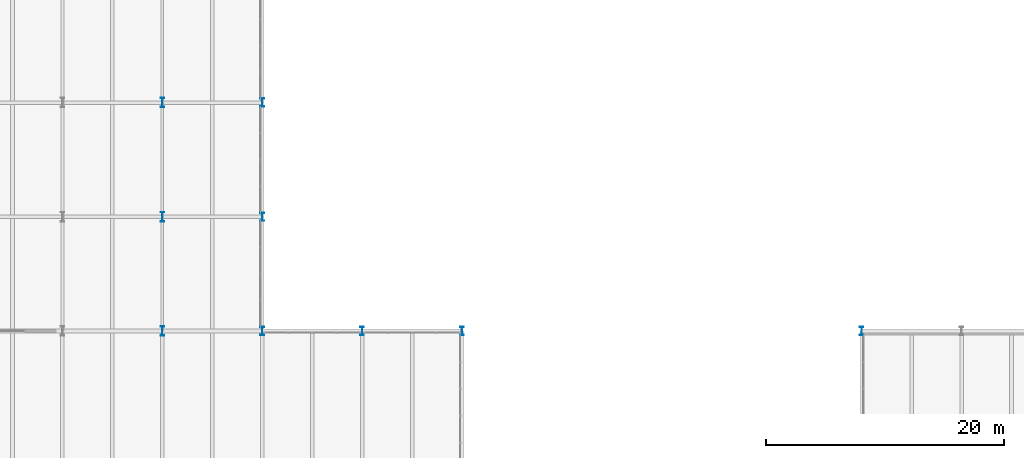
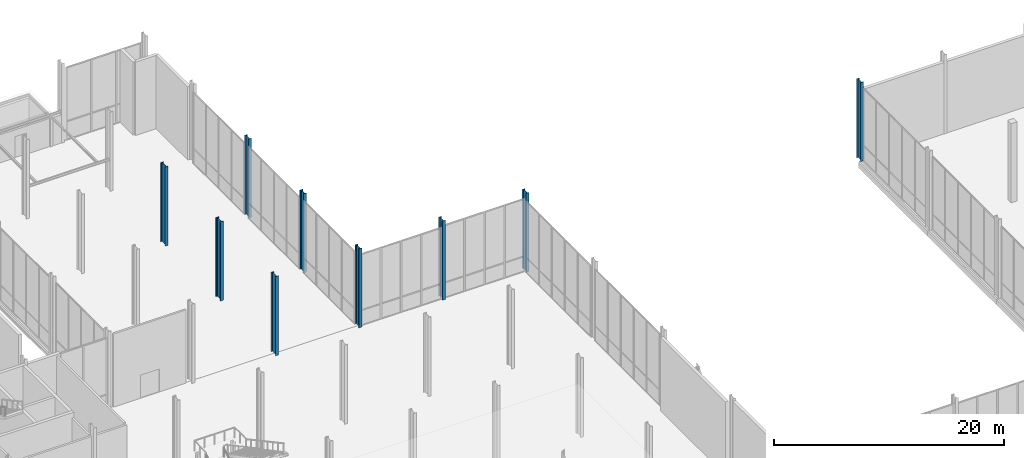
# One storey, part 11 of 131: 9 columns.
"""IFC4 building model written with IfcOpenShell, lengths in metres."""

from ifc_helpers import new_model, si_unit, direction, frame, origin, origin_2d, place, context, subcontext, project, spatial, i_section, extrude, material, material_profile, profile_set, type_object, element, save


model = new_model("IFC4")

# Units and contexts
model_context = context("Model", 3, precision=1e-05, world=origin(), true_north=direction((0.0, 1.0)))
body_context = subcontext(model_context, "Body", "Model", "MODEL_VIEW")
ifc_project = project(units=[si_unit("LENGTHUNIT", "METRE"), si_unit("AREAUNIT", "SQUARE_METRE"), si_unit("VOLUMEUNIT", "CUBIC_METRE"), si_unit("PLANEANGLEUNIT", "RADIAN"), si_unit("MASSUNIT", "GRAM", prefix="KILO")], contexts=[model_context])

# Site, building, storey
site_placement = place(None, origin())
site = spatial("IfcSite", under=ifc_project, at=site_placement, CompositionType="ELEMENT")
building_placement = place(site_placement, origin())
building = spatial("IfcBuilding", under=site, at=building_placement, Name="Veltarok Museum of Natural Sciences", CompositionType="ELEMENT")
storey_placement = place(building_placement, origin())
storey = spatial("IfcBuildingStorey", under=building, at=storey_placement, Name="L00", CompositionType="ELEMENT", Elevation=0.0)

# Columns
ifc_material = material(Name="Steel S355J2", Category="steel")
ifc_material_profile_1 = material_profile(ifc_material, i_section(OverallWidth=0.300048828125, OverallDepth=0.699951171875, WebThickness=0.01708984375, FlangeThickness=0.031982421875, FilletRadius=0.027099609375, at=origin_2d()), Name="HEB 700")
ifc_profile_set_1 = profile_set([ifc_material_profile_1], Name="Steel S355J2")
column_type_1 = type_object("IfcColumnType", Name="Perimeter Steel Column HEB 700", PredefinedType="COLUMN", material=ifc_profile_set_1)
for number, where, z_axis, x_axis, name in (
    (1, (82.0, 72.0, 0.0), (0.0, 0.0, 1.0), (1.0, 0.0, 0.0), "Column COL-EXT01 L00 10/H"),
    (2, (82.0, 81.60009765625, 0.0), (0.0, 0.0, 1.0), (1.0, 0.0, 0.0), "Column COL-EXT01 L00 10/J"),
    (3, (82.0, 91.199951171875, 0.0), (0.0, 0.0, 1.0), (1.0, 0.0, 0.0), "Column COL-EXT01 L00 10/K"),
    (4, (90.39990234375, 72.0, 0.0), (0.0, 0.0, 1.0), (1.0, 0.0, 0.0), "Column COL-EXT01 L00 11/H"),
    (5, (98.800048828125, 72.0, 0.0), (0.0, 0.0, 1.0), (1.0, 0.0, 0.0), "Column COL-EXT01 L00 12/H"),
    (6, (132.39990234375, 72.0, 0.0), (0.0, 0.0, 1.0), (1.0, 0.0, 0.0), "Column COL-EXT01 L00 16/H"),
):
    element("IfcColumn", number, at=place(storey_placement, frame(where, z_axis=z_axis, x_axis=x_axis)), inside=storey, type_object=column_type_1, Name=name, PredefinedType="COLUMN", context=body_context, shape_type="SweptSolid", body=[
        extrude(i_section(OverallWidth=0.300048828125, OverallDepth=0.699951171875, WebThickness=0.01708984375, FlangeThickness=0.031982421875, FilletRadius=0.027099609375, at=origin_2d()), origin(), (0.0, 0.0, 1.0), 8.39990234375),
    ])
ifc_material_profile_2 = material_profile(ifc_material, i_section(OverallWidth=0.300048828125, OverallDepth=0.800048828125, WebThickness=0.017578125, FlangeThickness=0.032958984375, FilletRadius=0.030029296875, at=origin_2d()), Name="HEB 800")
ifc_profile_set_2 = profile_set([ifc_material_profile_2], Name="Steel S355J2")
column_type_2 = type_object("IfcColumnType", Name="Primary Frame Column HEB 800", PredefinedType="COLUMN", material=ifc_profile_set_2)
for number, where, z_axis, x_axis, name in (
    (7, (73.60009765625, 72.0, 0.0), (0.0, 0.0, 1.0), (1.0, 0.0, 0.0), "Column COL-S02 L00 9/H"),
    (8, (73.60009765625, 81.60009765625, 0.0), (0.0, 0.0, 1.0), (1.0, 0.0, 0.0), "Column COL-S02 L00 9/J"),
    (9, (73.60009765625, 91.199951171875, 0.0), (0.0, 0.0, 1.0), (1.0, 0.0, 0.0), "Column COL-S02 L00 9/K"),
):
    element("IfcColumn", number, at=place(storey_placement, frame(where, z_axis=z_axis, x_axis=x_axis)), inside=storey, type_object=column_type_2, Name=name, PredefinedType="COLUMN", context=body_context, shape_type="SweptSolid", body=[
        extrude(i_section(OverallWidth=0.300048828125, OverallDepth=0.800048828125, WebThickness=0.017578125, FlangeThickness=0.032958984375, FilletRadius=0.030029296875, at=origin_2d()), origin(), (0.0, 0.0, 1.0), 8.39990234375),
    ])

save(model, "model.ifc")
